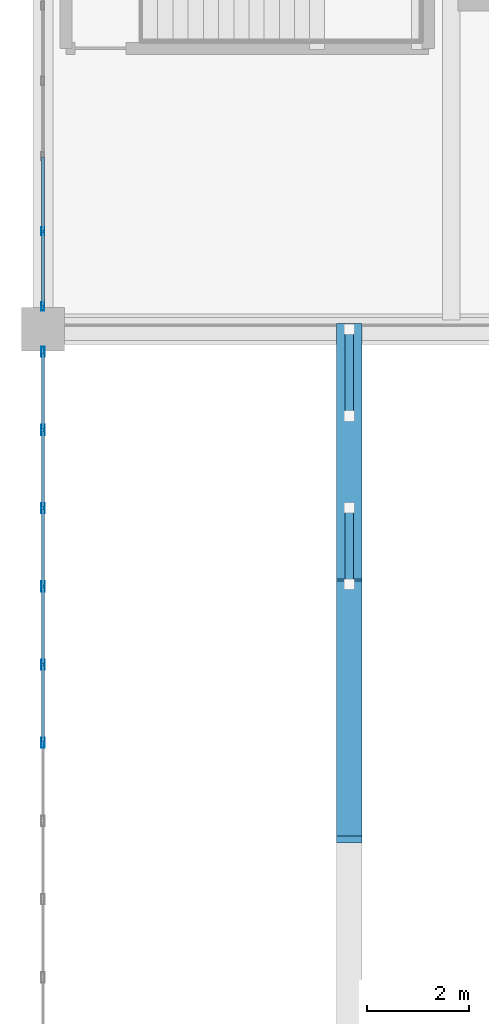
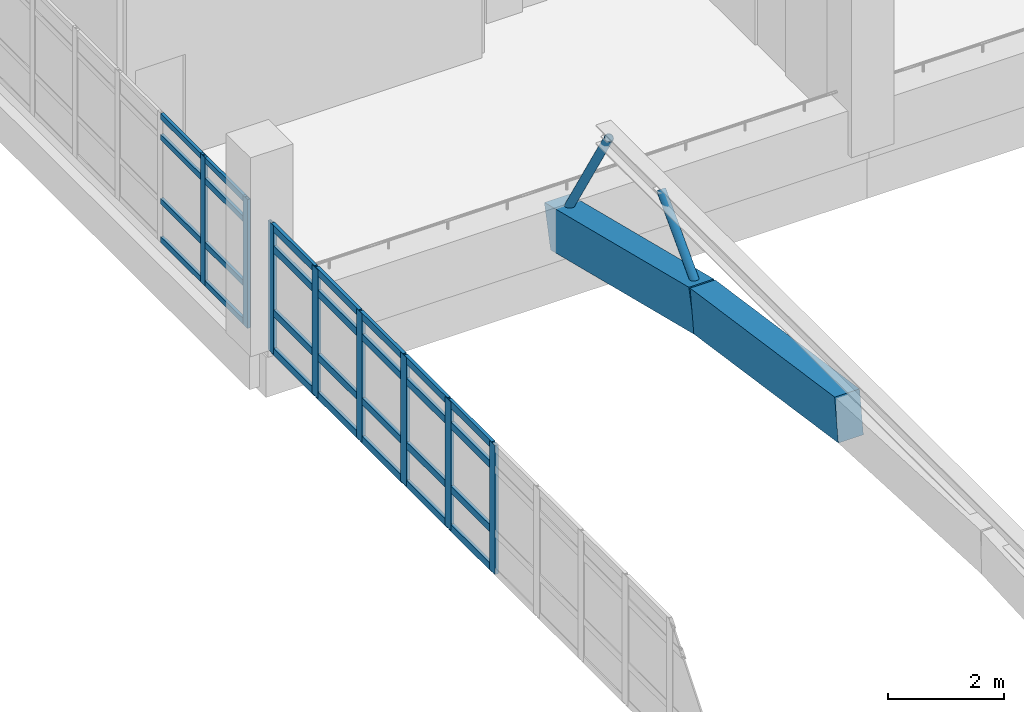
# One storey, part 25 of 161: 38 members, 2 beams, 2 elements without a shape of their own.
"""IFC4 building model written with IfcOpenShell, lengths in metres."""

from ifc_helpers import new_model, si_unit, direction, frame, origin, origin_2d, place, context, subcontext, project, spatial, rectangle, hollow_rectangle, hollow_circle, extrude, material, layer, layer_set, material_profile, profile_set, type_object, element, aggregate, save


model = new_model("IFC4")

# Units and contexts
model_context = context("Model", 3, precision=1e-05, world=origin(), true_north=direction((0.0, 1.0)))
body_context = subcontext(model_context, "Body", "Model", "MODEL_VIEW")
ifc_project = project(units=[si_unit("LENGTHUNIT", "METRE"), si_unit("AREAUNIT", "SQUARE_METRE"), si_unit("VOLUMEUNIT", "CUBIC_METRE"), si_unit("PLANEANGLEUNIT", "RADIAN"), si_unit("MASSUNIT", "GRAM", prefix="KILO")], contexts=[model_context])

# Site, building, storey
site_placement = place(None, origin())
site = spatial("IfcSite", under=ifc_project, at=site_placement, CompositionType="ELEMENT")
building_placement = place(site_placement, origin())
building = spatial("IfcBuilding", under=site, at=building_placement, Name="Mersad Railyard Sports Hall", CompositionType="ELEMENT")
storey_placement = place(building_placement, frame((0.0, 0.0, 4.800048828125)))
storey = spatial("IfcBuildingStorey", under=building, at=storey_placement, Name="L01", CompositionType="ELEMENT", Elevation=4.800048828125)

# Curtain wall, members
ifc_material_1 = material(Name="Aluminium 6063-T6", Category="aluminium")
ifc_layer_1 = layer(ifc_material_1, 0.159912109375)
ifc_layer_set_1 = layer_set([ifc_layer_1], Name="Aluminium 6063-T6")
curtain_wall_type_1 = type_object("IfcCurtainWallType", Name="ARC-CW-CW03", PredefinedType="USERDEFINED", material=ifc_layer_set_1)
curtain_wall_1_placement = place(storey_placement, origin())
curtain_wall_1 = element("IfcCurtainWall", 1, at=curtain_wall_1_placement, inside=storey, type_object=curtain_wall_type_1, Name="Curtain wall CW03-0025", ObjectType="CURTAIN WALL", PredefinedType="USERDEFINED")
ifc_material_profile_1 = material_profile(ifc_material_1, hollow_rectangle(XDim=0.06005859375, YDim=0.159912109375, WallThickness=0.00390625, at=origin_2d()), Name="AL MULLION 60x160x4")
ifc_profile_set_1 = profile_set([ifc_material_profile_1], Name="Aluminium 6063-T6")
member_type_1 = type_object("IfcMemberType", Name="ARC-CW-MUL01", PredefinedType="MULLION", material=ifc_profile_set_1)
member_1_placement = place(storey_placement, frame((7.0, 43.945068359375, -0.02001953125), z_axis=(0.0, 0.0, 1.0), x_axis=(1.0, 0.0, 0.0)))
member_1 = element("IfcMember", 2, at=member_1_placement, type_object=member_type_1, Name="CW03 Mullion 1", PredefinedType="MULLION", context=body_context, shape_type="SweptSolid", body=[
    extrude(hollow_rectangle(XDim=0.06005859375, YDim=0.159912109375, WallThickness=0.00390625, at=origin_2d()), origin(), (0.0, 0.0, 1.0), 2.719970703125),
])
member_2_placement = place(storey_placement, frame((7.0, 45.41748046875, -0.02001953125), z_axis=(0.0, 0.0, 1.0), x_axis=(1.0, 0.0, 0.0)))
member_2 = element("IfcMember", 3, at=member_2_placement, type_object=member_type_1, Name="CW03 Mullion 2", PredefinedType="MULLION", context=body_context, shape_type="SweptSolid", body=[
    extrude(hollow_rectangle(XDim=0.06005859375, YDim=0.159912109375, WallThickness=0.00390625, at=origin_2d()), origin(), (0.0, 0.0, 1.0), 2.719970703125),
])

ifc_layer_2 = layer(ifc_material_1, 0.199951171875)
ifc_layer_set_2 = layer_set([ifc_layer_2], Name="Aluminium 6063-T6")
curtain_wall_type_2 = type_object("IfcCurtainWallType", Name="ARC-CW-CW04", PredefinedType="USERDEFINED", material=ifc_layer_set_2)
curtain_wall_2_placement = place(storey_placement, origin())
curtain_wall_2 = element("IfcCurtainWall", 4, at=curtain_wall_2_placement, inside=storey, type_object=curtain_wall_type_2, Name="Curtain wall CW04-0024", ObjectType="CURTAIN WALL", PredefinedType="USERDEFINED")
ifc_material_profile_2 = material_profile(ifc_material_1, hollow_rectangle(XDim=0.06494140625, YDim=0.199951171875, WallThickness=0.0048828125, at=origin_2d()), Name="AL MULLION 65x200x5")
ifc_profile_set_2 = profile_set([ifc_material_profile_2], Name="Aluminium 6063-T6")
member_type_2 = type_object("IfcMemberType", Name="ARC-CW-MUL02", PredefinedType="MULLION", material=ifc_profile_set_2)
member_3_placement = place(storey_placement, frame((7.0, 35.39453125, -0.02001953125), z_axis=(0.0, 0.0, 1.0), x_axis=(1.0, 0.0, 0.0)))
member_3 = element("IfcMember", 5, at=member_3_placement, type_object=member_type_2, Name="CW04 Mullion 15", PredefinedType="MULLION", context=body_context, shape_type="SweptSolid", body=[
    extrude(hollow_rectangle(XDim=0.06494140625, YDim=0.199951171875, WallThickness=0.0048828125, at=origin_2d()), origin(), (0.0, 0.0, 1.0), 2.719970703125),
])
member_4_placement = place(storey_placement, frame((7.0, 36.926513671875, -0.02001953125), z_axis=(0.0, 0.0, 1.0), x_axis=(1.0, 0.0, 0.0)))
member_4 = element("IfcMember", 6, at=member_4_placement, type_object=member_type_2, Name="CW04 Mullion 16", PredefinedType="MULLION", context=body_context, shape_type="SweptSolid", body=[
    extrude(hollow_rectangle(XDim=0.06494140625, YDim=0.199951171875, WallThickness=0.0048828125, at=origin_2d()), origin(), (0.0, 0.0, 1.0), 2.719970703125),
])
member_5_placement = place(storey_placement, frame((7.0, 38.458740234375, -0.02001953125), z_axis=(0.0, 0.0, 1.0), x_axis=(1.0, 0.0, 0.0)))
member_5 = element("IfcMember", 7, at=member_5_placement, type_object=member_type_2, Name="CW04 Mullion 17", PredefinedType="MULLION", context=body_context, shape_type="SweptSolid", body=[
    extrude(hollow_rectangle(XDim=0.06494140625, YDim=0.199951171875, WallThickness=0.0048828125, at=origin_2d()), origin(), (0.0, 0.0, 1.0), 2.719970703125),
])
member_6_placement = place(storey_placement, frame((7.0, 39.99072265625, -0.02001953125), z_axis=(0.0, 0.0, 1.0), x_axis=(1.0, 0.0, 0.0)))
member_6 = element("IfcMember", 8, at=member_6_placement, type_object=member_type_2, Name="CW04 Mullion 18", PredefinedType="MULLION", context=body_context, shape_type="SweptSolid", body=[
    extrude(hollow_rectangle(XDim=0.06494140625, YDim=0.199951171875, WallThickness=0.0048828125, at=origin_2d()), origin(), (0.0, 0.0, 1.0), 2.719970703125),
])
member_7_placement = place(storey_placement, frame((7.0, 41.52294921875, -0.02001953125), z_axis=(0.0, 0.0, 1.0), x_axis=(1.0, 0.0, 0.0)))
member_7 = element("IfcMember", 9, at=member_7_placement, type_object=member_type_2, Name="CW04 Mullion 19", PredefinedType="MULLION", context=body_context, shape_type="SweptSolid", body=[
    extrude(hollow_rectangle(XDim=0.06494140625, YDim=0.199951171875, WallThickness=0.0048828125, at=origin_2d()), origin(), (0.0, 0.0, 1.0), 2.719970703125),
])
member_8_placement = place(storey_placement, frame((7.0, 43.054931640625, -0.02001953125), z_axis=(0.0, 0.0, 1.0), x_axis=(1.0, 0.0, 0.0)))
member_8 = element("IfcMember", 10, at=member_8_placement, type_object=member_type_2, Name="CW04 Mullion 20", PredefinedType="MULLION", context=body_context, shape_type="SweptSolid", body=[
    extrude(hollow_rectangle(XDim=0.06494140625, YDim=0.199951171875, WallThickness=0.0048828125, at=origin_2d()), origin(), (0.0, 0.0, 1.0), 2.719970703125),
])

# Member
ifc_material_profile_3 = material_profile(ifc_material_1, hollow_rectangle(XDim=0.06005859375, YDim=0.1201171875, WallThickness=0.00390625, at=origin_2d()), Name="AL TRANSOM 60x120x4")
ifc_profile_set_3 = profile_set([ifc_material_profile_3], Name="Aluminium 6063-T6")
member_type_3 = type_object("IfcMemberType", Name="ARC-CW-TRN01", PredefinedType="USERDEFINED", material=ifc_profile_set_3)
member_9_placement = place(storey_placement, frame((7.0, 43.965087890625, 0.0400390625), z_axis=(0.0, 1.0, 0.0), x_axis=(-1.0, 0.0, 0.0)))
member_9 = element("IfcMember", 11, at=member_9_placement, type_object=member_type_3, Name="CW03 Transom 1-1", ObjectType="TRANSOM", PredefinedType="USERDEFINED", context=body_context, shape_type="SweptSolid", body=[
    extrude(hollow_rectangle(XDim=0.06005859375, YDim=0.1201171875, WallThickness=0.00390625, at=origin_2d()), origin(), (0.0, 0.0, 1.0), 1.432373046875),
])

member_10_placement = place(storey_placement, frame((7.0, 45.4375, 0.0400390625), z_axis=(0.0, 1.0, 0.0), x_axis=(-1.0, 0.0, 0.0)))
member_10 = element("IfcMember", 12, at=member_10_placement, type_object=member_type_3, Name="CW03 Transom 1-2", ObjectType="TRANSOM", PredefinedType="USERDEFINED", context=body_context, shape_type="SweptSolid", body=[
    extrude(hollow_rectangle(XDim=0.06005859375, YDim=0.1201171875, WallThickness=0.00390625, at=origin_2d()), origin(), (0.0, 0.0, 1.0), 1.4326171875),
])

member_11_placement = place(storey_placement, frame((7.0, 43.965087890625, 0.849853515625), z_axis=(0.0, 1.0, 0.0), x_axis=(-1.0, 0.0, 0.0)))
member_11 = element("IfcMember", 13, at=member_11_placement, type_object=member_type_3, Name="CW03 Transom 2-1", ObjectType="TRANSOM", PredefinedType="USERDEFINED", context=body_context, shape_type="SweptSolid", body=[
    extrude(hollow_rectangle(XDim=0.06005859375, YDim=0.1201171875, WallThickness=0.00390625, at=origin_2d()), origin(), (0.0, 0.0, 1.0), 1.432373046875),
])

member_12_placement = place(storey_placement, frame((7.0, 45.4375, 0.849853515625), z_axis=(0.0, 1.0, 0.0), x_axis=(-1.0, 0.0, 0.0)))
member_12 = element("IfcMember", 14, at=member_12_placement, type_object=member_type_3, Name="CW03 Transom 2-2", ObjectType="TRANSOM", PredefinedType="USERDEFINED", context=body_context, shape_type="SweptSolid", body=[
    extrude(hollow_rectangle(XDim=0.06005859375, YDim=0.1201171875, WallThickness=0.00390625, at=origin_2d()), origin(), (0.0, 0.0, 1.0), 1.4326171875),
])

member_13_placement = place(storey_placement, frame((7.0, 43.965087890625, 2.199951171875), z_axis=(0.0, 1.0, 0.0), x_axis=(-1.0, 0.0, 0.0)))
member_13 = element("IfcMember", 15, at=member_13_placement, type_object=member_type_3, Name="CW03 Transom 3-1", ObjectType="TRANSOM", PredefinedType="USERDEFINED", context=body_context, shape_type="SweptSolid", body=[
    extrude(hollow_rectangle(XDim=0.06005859375, YDim=0.1201171875, WallThickness=0.00390625, at=origin_2d()), origin(), (0.0, 0.0, 1.0), 1.432373046875),
])

member_14_placement = place(storey_placement, frame((7.0, 45.4375, 2.199951171875), z_axis=(0.0, 1.0, 0.0), x_axis=(-1.0, 0.0, 0.0)))
member_14 = element("IfcMember", 16, at=member_14_placement, type_object=member_type_3, Name="CW03 Transom 3-2", ObjectType="TRANSOM", PredefinedType="USERDEFINED", context=body_context, shape_type="SweptSolid", body=[
    extrude(hollow_rectangle(XDim=0.06005859375, YDim=0.1201171875, WallThickness=0.00390625, at=origin_2d()), origin(), (0.0, 0.0, 1.0), 1.4326171875),
])

member_15_placement = place(storey_placement, frame((7.0, 43.965087890625, 2.639892578125), z_axis=(0.0, 1.0, 0.0), x_axis=(-1.0, 0.0, 0.0)))
member_15 = element("IfcMember", 17, at=member_15_placement, type_object=member_type_3, Name="CW03 Transom 4-1", ObjectType="TRANSOM", PredefinedType="USERDEFINED", context=body_context, shape_type="SweptSolid", body=[
    extrude(hollow_rectangle(XDim=0.06005859375, YDim=0.1201171875, WallThickness=0.00390625, at=origin_2d()), origin(), (0.0, 0.0, 1.0), 1.432373046875),
])

member_16_placement = place(storey_placement, frame((7.0, 45.4375, 2.639892578125), z_axis=(0.0, 1.0, 0.0), x_axis=(-1.0, 0.0, 0.0)))
member_16 = element("IfcMember", 18, at=member_16_placement, type_object=member_type_3, Name="CW03 Transom 4-2", ObjectType="TRANSOM", PredefinedType="USERDEFINED", context=body_context, shape_type="SweptSolid", body=[
    extrude(hollow_rectangle(XDim=0.06005859375, YDim=0.1201171875, WallThickness=0.00390625, at=origin_2d()), origin(), (0.0, 0.0, 1.0), 1.4326171875),
])

aggregate(curtain_wall_1, [member_1, member_2, member_9, member_10, member_11, member_12, member_13, member_14, member_15, member_16])

ifc_material_profile_4 = material_profile(ifc_material_1, hollow_rectangle(XDim=0.06494140625, YDim=0.14990234375, WallThickness=0.00439453125, at=origin_2d()), Name="AL TRANSOM 65x150x4.5")
ifc_profile_set_4 = profile_set([ifc_material_profile_4], Name="Aluminium 6063-T6")
member_type_4 = type_object("IfcMemberType", Name="ARC-CW-TRN02", PredefinedType="USERDEFINED", material=ifc_profile_set_4)
member_17_placement = place(storey_placement, frame((7.0, 35.41455078125, 0.0400390625), z_axis=(0.0, 1.0, 0.0), x_axis=(-1.0, 0.0, 0.0)))
member_17 = element("IfcMember", 19, at=member_17_placement, type_object=member_type_4, Name="CW04 Transom 1-15", ObjectType="TRANSOM", PredefinedType="USERDEFINED", context=body_context, shape_type="SweptSolid", body=[
    extrude(hollow_rectangle(XDim=0.06494140625, YDim=0.14990234375, WallThickness=0.00439453125, at=origin_2d()), origin(), (0.0, 0.0, 1.0), 1.491943359375),
])

member_18_placement = place(storey_placement, frame((7.0, 36.946533203125, 0.0400390625), z_axis=(0.0, 1.0, 0.0), x_axis=(-1.0, 0.0, 0.0)))
member_18 = element("IfcMember", 20, at=member_18_placement, type_object=member_type_4, Name="CW04 Transom 1-16", ObjectType="TRANSOM", PredefinedType="USERDEFINED", context=body_context, shape_type="SweptSolid", body=[
    extrude(hollow_rectangle(XDim=0.06494140625, YDim=0.14990234375, WallThickness=0.00439453125, at=origin_2d()), origin(), (0.0, 0.0, 1.0), 1.4921875),
])

member_19_placement = place(storey_placement, frame((7.0, 38.478759765625, 0.0400390625), z_axis=(0.0, 1.0, 0.0), x_axis=(-1.0, 0.0, 0.0)))
member_19 = element("IfcMember", 21, at=member_19_placement, type_object=member_type_4, Name="CW04 Transom 1-17", ObjectType="TRANSOM", PredefinedType="USERDEFINED", context=body_context, shape_type="SweptSolid", body=[
    extrude(hollow_rectangle(XDim=0.06494140625, YDim=0.14990234375, WallThickness=0.00439453125, at=origin_2d()), origin(), (0.0, 0.0, 1.0), 1.491943359375),
])

member_20_placement = place(storey_placement, frame((7.0, 40.0107421875, 0.0400390625), z_axis=(0.0, 1.0, 0.0), x_axis=(-1.0, 0.0, 0.0)))
member_20 = element("IfcMember", 22, at=member_20_placement, type_object=member_type_4, Name="CW04 Transom 1-18", ObjectType="TRANSOM", PredefinedType="USERDEFINED", context=body_context, shape_type="SweptSolid", body=[
    extrude(hollow_rectangle(XDim=0.06494140625, YDim=0.14990234375, WallThickness=0.00439453125, at=origin_2d()), origin(), (0.0, 0.0, 1.0), 1.4921875),
])

member_21_placement = place(storey_placement, frame((7.0, 41.54296875, 0.0400390625), z_axis=(0.0, 1.0, 0.0), x_axis=(-1.0, 0.0, 0.0)))
member_21 = element("IfcMember", 23, at=member_21_placement, type_object=member_type_4, Name="CW04 Transom 1-19", ObjectType="TRANSOM", PredefinedType="USERDEFINED", context=body_context, shape_type="SweptSolid", body=[
    extrude(hollow_rectangle(XDim=0.06494140625, YDim=0.14990234375, WallThickness=0.00439453125, at=origin_2d()), origin(), (0.0, 0.0, 1.0), 1.491943359375),
])

member_22_placement = place(storey_placement, frame((7.0, 35.41455078125, 0.849853515625), z_axis=(0.0, 1.0, 0.0), x_axis=(-1.0, 0.0, 0.0)))
member_22 = element("IfcMember", 24, at=member_22_placement, type_object=member_type_4, Name="CW04 Transom 2-15", ObjectType="TRANSOM", PredefinedType="USERDEFINED", context=body_context, shape_type="SweptSolid", body=[
    extrude(hollow_rectangle(XDim=0.06494140625, YDim=0.14990234375, WallThickness=0.00439453125, at=origin_2d()), origin(), (0.0, 0.0, 1.0), 1.491943359375),
])

member_23_placement = place(storey_placement, frame((7.0, 36.946533203125, 0.849853515625), z_axis=(0.0, 1.0, 0.0), x_axis=(-1.0, 0.0, 0.0)))
member_23 = element("IfcMember", 25, at=member_23_placement, type_object=member_type_4, Name="CW04 Transom 2-16", ObjectType="TRANSOM", PredefinedType="USERDEFINED", context=body_context, shape_type="SweptSolid", body=[
    extrude(hollow_rectangle(XDim=0.06494140625, YDim=0.14990234375, WallThickness=0.00439453125, at=origin_2d()), origin(), (0.0, 0.0, 1.0), 1.4921875),
])

member_24_placement = place(storey_placement, frame((7.0, 38.478759765625, 0.849853515625), z_axis=(0.0, 1.0, 0.0), x_axis=(-1.0, 0.0, 0.0)))
member_24 = element("IfcMember", 26, at=member_24_placement, type_object=member_type_4, Name="CW04 Transom 2-17", ObjectType="TRANSOM", PredefinedType="USERDEFINED", context=body_context, shape_type="SweptSolid", body=[
    extrude(hollow_rectangle(XDim=0.06494140625, YDim=0.14990234375, WallThickness=0.00439453125, at=origin_2d()), origin(), (0.0, 0.0, 1.0), 1.491943359375),
])

member_25_placement = place(storey_placement, frame((7.0, 40.0107421875, 0.849853515625), z_axis=(0.0, 1.0, 0.0), x_axis=(-1.0, 0.0, 0.0)))
member_25 = element("IfcMember", 27, at=member_25_placement, type_object=member_type_4, Name="CW04 Transom 2-18", ObjectType="TRANSOM", PredefinedType="USERDEFINED", context=body_context, shape_type="SweptSolid", body=[
    extrude(hollow_rectangle(XDim=0.06494140625, YDim=0.14990234375, WallThickness=0.00439453125, at=origin_2d()), origin(), (0.0, 0.0, 1.0), 1.4921875),
])

member_26_placement = place(storey_placement, frame((7.0, 41.54296875, 0.849853515625), z_axis=(0.0, 1.0, 0.0), x_axis=(-1.0, 0.0, 0.0)))
member_26 = element("IfcMember", 28, at=member_26_placement, type_object=member_type_4, Name="CW04 Transom 2-19", ObjectType="TRANSOM", PredefinedType="USERDEFINED", context=body_context, shape_type="SweptSolid", body=[
    extrude(hollow_rectangle(XDim=0.06494140625, YDim=0.14990234375, WallThickness=0.00439453125, at=origin_2d()), origin(), (0.0, 0.0, 1.0), 1.491943359375),
])

member_27_placement = place(storey_placement, frame((7.0, 35.41455078125, 2.199951171875), z_axis=(0.0, 1.0, 0.0), x_axis=(-1.0, 0.0, 0.0)))
member_27 = element("IfcMember", 29, at=member_27_placement, type_object=member_type_4, Name="CW04 Transom 3-15", ObjectType="TRANSOM", PredefinedType="USERDEFINED", context=body_context, shape_type="SweptSolid", body=[
    extrude(hollow_rectangle(XDim=0.06494140625, YDim=0.14990234375, WallThickness=0.00439453125, at=origin_2d()), origin(), (0.0, 0.0, 1.0), 1.491943359375),
])

member_28_placement = place(storey_placement, frame((7.0, 36.946533203125, 2.199951171875), z_axis=(0.0, 1.0, 0.0), x_axis=(-1.0, 0.0, 0.0)))
member_28 = element("IfcMember", 30, at=member_28_placement, type_object=member_type_4, Name="CW04 Transom 3-16", ObjectType="TRANSOM", PredefinedType="USERDEFINED", context=body_context, shape_type="SweptSolid", body=[
    extrude(hollow_rectangle(XDim=0.06494140625, YDim=0.14990234375, WallThickness=0.00439453125, at=origin_2d()), origin(), (0.0, 0.0, 1.0), 1.4921875),
])

member_29_placement = place(storey_placement, frame((7.0, 38.478759765625, 2.199951171875), z_axis=(0.0, 1.0, 0.0), x_axis=(-1.0, 0.0, 0.0)))
member_29 = element("IfcMember", 31, at=member_29_placement, type_object=member_type_4, Name="CW04 Transom 3-17", ObjectType="TRANSOM", PredefinedType="USERDEFINED", context=body_context, shape_type="SweptSolid", body=[
    extrude(hollow_rectangle(XDim=0.06494140625, YDim=0.14990234375, WallThickness=0.00439453125, at=origin_2d()), origin(), (0.0, 0.0, 1.0), 1.491943359375),
])

member_30_placement = place(storey_placement, frame((7.0, 40.0107421875, 2.199951171875), z_axis=(0.0, 1.0, 0.0), x_axis=(-1.0, 0.0, 0.0)))
member_30 = element("IfcMember", 32, at=member_30_placement, type_object=member_type_4, Name="CW04 Transom 3-18", ObjectType="TRANSOM", PredefinedType="USERDEFINED", context=body_context, shape_type="SweptSolid", body=[
    extrude(hollow_rectangle(XDim=0.06494140625, YDim=0.14990234375, WallThickness=0.00439453125, at=origin_2d()), origin(), (0.0, 0.0, 1.0), 1.4921875),
])

member_31_placement = place(storey_placement, frame((7.0, 41.54296875, 2.199951171875), z_axis=(0.0, 1.0, 0.0), x_axis=(-1.0, 0.0, 0.0)))
member_31 = element("IfcMember", 33, at=member_31_placement, type_object=member_type_4, Name="CW04 Transom 3-19", ObjectType="TRANSOM", PredefinedType="USERDEFINED", context=body_context, shape_type="SweptSolid", body=[
    extrude(hollow_rectangle(XDim=0.06494140625, YDim=0.14990234375, WallThickness=0.00439453125, at=origin_2d()), origin(), (0.0, 0.0, 1.0), 1.491943359375),
])

member_32_placement = place(storey_placement, frame((7.0, 35.41455078125, 2.639892578125), z_axis=(0.0, 1.0, 0.0), x_axis=(-1.0, 0.0, 0.0)))
member_32 = element("IfcMember", 34, at=member_32_placement, type_object=member_type_4, Name="CW04 Transom 4-15", ObjectType="TRANSOM", PredefinedType="USERDEFINED", context=body_context, shape_type="SweptSolid", body=[
    extrude(hollow_rectangle(XDim=0.06494140625, YDim=0.14990234375, WallThickness=0.00439453125, at=origin_2d()), origin(), (0.0, 0.0, 1.0), 1.491943359375),
])

member_33_placement = place(storey_placement, frame((7.0, 36.946533203125, 2.639892578125), z_axis=(0.0, 1.0, 0.0), x_axis=(-1.0, 0.0, 0.0)))
member_33 = element("IfcMember", 35, at=member_33_placement, type_object=member_type_4, Name="CW04 Transom 4-16", ObjectType="TRANSOM", PredefinedType="USERDEFINED", context=body_context, shape_type="SweptSolid", body=[
    extrude(hollow_rectangle(XDim=0.06494140625, YDim=0.14990234375, WallThickness=0.00439453125, at=origin_2d()), origin(), (0.0, 0.0, 1.0), 1.4921875),
])

member_34_placement = place(storey_placement, frame((7.0, 38.478759765625, 2.639892578125), z_axis=(0.0, 1.0, 0.0), x_axis=(-1.0, 0.0, 0.0)))
member_34 = element("IfcMember", 36, at=member_34_placement, type_object=member_type_4, Name="CW04 Transom 4-17", ObjectType="TRANSOM", PredefinedType="USERDEFINED", context=body_context, shape_type="SweptSolid", body=[
    extrude(hollow_rectangle(XDim=0.06494140625, YDim=0.14990234375, WallThickness=0.00439453125, at=origin_2d()), origin(), (0.0, 0.0, 1.0), 1.491943359375),
])

member_35_placement = place(storey_placement, frame((7.0, 40.0107421875, 2.639892578125), z_axis=(0.0, 1.0, 0.0), x_axis=(-1.0, 0.0, 0.0)))
member_35 = element("IfcMember", 37, at=member_35_placement, type_object=member_type_4, Name="CW04 Transom 4-18", ObjectType="TRANSOM", PredefinedType="USERDEFINED", context=body_context, shape_type="SweptSolid", body=[
    extrude(hollow_rectangle(XDim=0.06494140625, YDim=0.14990234375, WallThickness=0.00439453125, at=origin_2d()), origin(), (0.0, 0.0, 1.0), 1.4921875),
])

member_36_placement = place(storey_placement, frame((7.0, 41.54296875, 2.639892578125), z_axis=(0.0, 1.0, 0.0), x_axis=(-1.0, 0.0, 0.0)))
member_36 = element("IfcMember", 38, at=member_36_placement, type_object=member_type_4, Name="CW04 Transom 4-19", ObjectType="TRANSOM", PredefinedType="USERDEFINED", context=body_context, shape_type="SweptSolid", body=[
    extrude(hollow_rectangle(XDim=0.06494140625, YDim=0.14990234375, WallThickness=0.00439453125, at=origin_2d()), origin(), (0.0, 0.0, 1.0), 1.491943359375),
])

aggregate(curtain_wall_2, [member_3, member_4, member_5, member_6, member_7, member_8, member_17, member_18, member_19, member_20, member_21, member_22, member_23, member_24, member_25, member_26, member_27, member_28, member_29, member_30, member_31, member_32, member_33, member_34, member_35, member_36])

# Beams
ifc_material_2 = material(Name="Architectural concrete C50/60", Category="concrete")
ifc_material_profile_5 = material_profile(ifc_material_2, rectangle(XDim=0.5, YDim=0.89990234375, at=origin_2d()), Name="VR 500x900")
ifc_profile_set_5 = profile_set([ifc_material_profile_5], Name="Architectural concrete C50/60")
beam_type = type_object("IfcBeamType", Name="STR-BM-VR02", PredefinedType="BEAM", material=ifc_profile_set_5)
beam_1_placement = place(storey_placement, frame((13.0, 33.5, 2.30908203125), z_axis=(0.0, 0.989516876333, -0.144417282391), x_axis=(-1.0, 0.0, 0.0)))
element("IfcBeam", 39, at=beam_1_placement, inside=storey, type_object=beam_type, Name="Beam VR02-0510", PredefinedType="BEAM", context=body_context, shape_type="SweptSolid", body=[
    extrude(rectangle(XDim=0.5, YDim=0.89990234375, at=origin_2d()), origin(), (0.0, 0.0, 1.0), 5.052978515625),
])
beam_2_placement = place(storey_placement, frame((13.0, 38.5, 1.579345703125), z_axis=(0.0, 0.970609045837, -0.240661754627), x_axis=(-1.0, 0.0, 0.0)))
element("IfcBeam", 40, at=beam_2_placement, inside=storey, type_object=beam_type, Name="Beam VR02-0511", PredefinedType="BEAM", context=body_context, shape_type="SweptSolid", body=[
    extrude(rectangle(XDim=0.5, YDim=0.89990234375, at=origin_2d()), origin(), (0.0, 0.0, 1.0), 5.1513671875),
])

# Members
ifc_material_3 = material(Name="Steel S355", Category="steel")
ifc_material_profile_6 = material_profile(ifc_material_3, hollow_circle(Radius=0.084228515625, WallThickness=0.008056640625, at=origin_2d()), Name="CHS 168.3x8")
ifc_profile_set_6 = profile_set([ifc_material_profile_6], Name="Steel S355")
member_type_5 = type_object("IfcMemberType", Name="STR-MEM-BR03", PredefinedType="BRACE", material=ifc_profile_set_6)
member_37_placement = place(storey_placement, frame((13.0, 43.5, 0.339599609375), z_axis=(0.0, -0.517575030521, 0.855637825123), x_axis=(1.0, 0.0, 0.0)))
element("IfcMember", 41, at=member_37_placement, inside=storey, type_object=member_type_5, Name="Structural member BR03-0062", PredefinedType="BRACE", context=body_context, shape_type="SweptSolid", body=[
    extrude(hollow_circle(Radius=0.084228515625, WallThickness=0.008056640625, at=origin_2d()), origin(), (0.0, 0.0, 1.0), 3.284423828125),
])
member_38_placement = place(storey_placement, frame((13.0, 38.5, 1.579345703125), z_axis=(0.0, 0.690676243766, 0.723164107446), x_axis=(-1.0, 0.0, 0.0)))
element("IfcMember", 42, at=member_38_placement, inside=storey, type_object=member_type_5, Name="Structural member BR03-0063", PredefinedType="BRACE", context=body_context, shape_type="SweptSolid", body=[
    extrude(hollow_circle(Radius=0.084228515625, WallThickness=0.008056640625, at=origin_2d()), origin(), (0.0, 0.0, 1.0), 2.171875),
])

save(model, "model.ifc")
